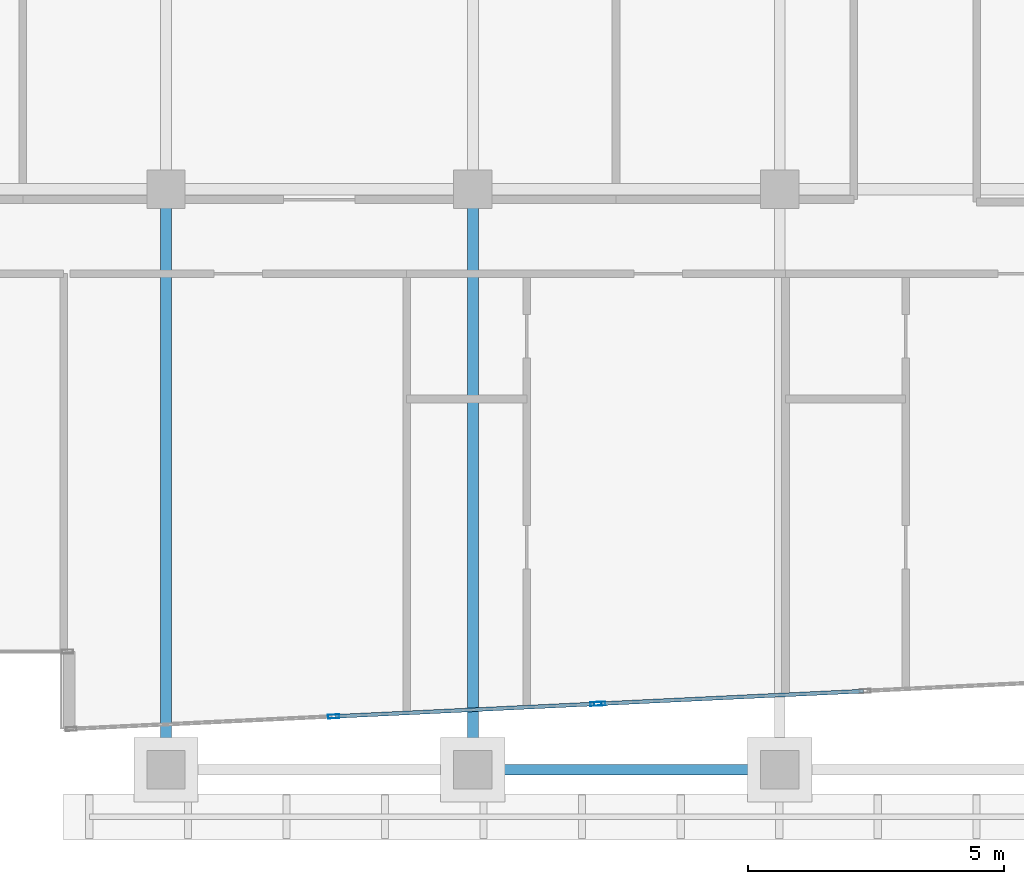
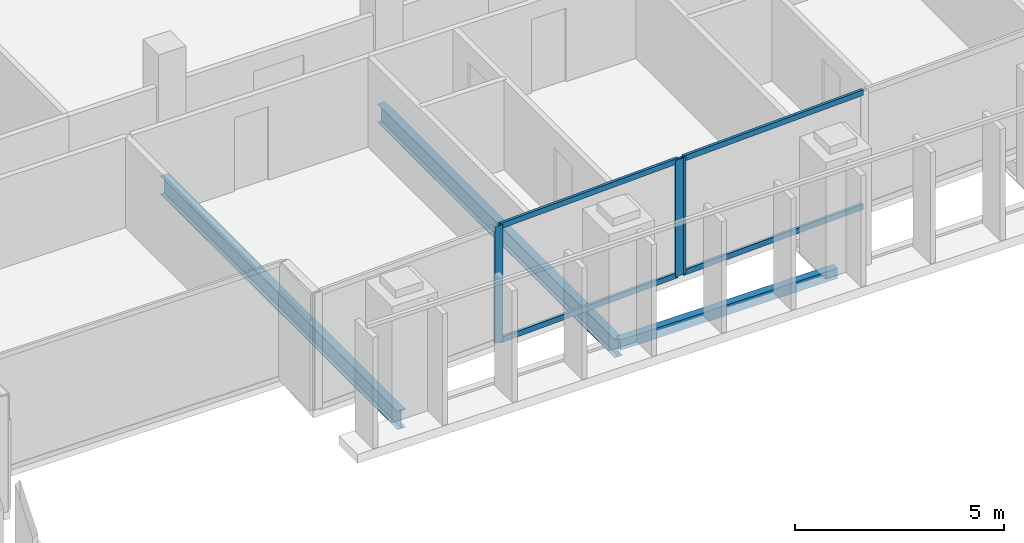
# One storey, part 6 of 32: 7 members, 3 beams, 2 elements without a shape of their own.
"""IFC4 building model written with IfcOpenShell, lengths in metres."""

from ifc_helpers import new_model, si_unit, direction, frame, origin, origin_2d, place, context, subcontext, project, spatial, hollow_rectangle, i_section, extrude, material, layer, layer_set, material_profile, profile_set, type_object, element, aggregate, save


model = new_model("IFC4")

# Units and contexts
model_context = context("Model", 3, precision=1e-05, world=origin(), true_north=direction((0.0, 1.0)))
body_context = subcontext(model_context, "Body", "Model", "MODEL_VIEW")
ifc_project = project(units=[si_unit("LENGTHUNIT", "METRE"), si_unit("AREAUNIT", "SQUARE_METRE"), si_unit("VOLUMEUNIT", "CUBIC_METRE"), si_unit("PLANEANGLEUNIT", "RADIAN"), si_unit("MASSUNIT", "GRAM", prefix="KILO")], contexts=[model_context])

# Site, building, storey
site_placement = place(None, origin())
site = spatial("IfcSite", under=ifc_project, at=site_placement, CompositionType="ELEMENT")
building_placement = place(site_placement, origin())
building = spatial("IfcBuilding", under=site, at=building_placement, Name="Tanjung Sevakor Pilgrim Tower", CompositionType="ELEMENT")
storey_placement = place(building_placement, frame((0.0, 0.0, 211.860107421875)))
storey = spatial("IfcBuildingStorey", under=building, at=storey_placement, Name="L59", CompositionType="ELEMENT", Elevation=211.860107421875)

# Beams
ifc_material_1 = material(Name="Steel S355J2", Category="steel")
ifc_material_profile_1 = material_profile(ifc_material_1, i_section(OverallWidth=0.2119140625, OverallDepth=0.54443359375, WebThickness=0.0126953125, FlangeThickness=0.021240234375, FilletRadius=0.0126953125, at=origin_2d()))
ifc_profile_set_1 = profile_set([ifc_material_profile_1], Name="Steel S355J2")
beam_type_1 = type_object("IfcBeamType", Name="BM-B-G5-UB_533x210x122", PredefinedType="BEAM", material=ifc_profile_set_1)
for number, where, z_axis, x_axis, name in (
    (1, (54.0, 13.25, -0.492431640625), (0.0, 1.0, 0.0), (-1.0, 0.0, 0.0), "L59 MAIN Girder 009"),
    (2, (60.0, 13.25, -0.492431640625), (0.0, 1.0, 0.0), (-1.0, 0.0, 0.0), "L59 MAIN Girder 012"),
):
    element("IfcBeam", number, at=place(storey_placement, frame(where, z_axis=z_axis, x_axis=x_axis)), inside=storey, type_object=beam_type_1, Name=name, PredefinedType="BEAM", context=body_context, shape_type="SweptSolid", body=[
        extrude(i_section(OverallWidth=0.2119140625, OverallDepth=0.54443359375, WebThickness=0.0126953125, FlangeThickness=0.021240234375, FilletRadius=0.0126953125, at=origin_2d()), origin(), (0.0, 0.0, 1.0), 11.35009765625),
    ])
ifc_material_2 = material(Name="Steel S355J2", Category="steel")
ifc_material_profile_2 = material_profile(ifc_material_2, hollow_rectangle(XDim=0.199951171875, YDim=0.300048828125, WallThickness=0.012451171875, at=origin_2d()))
ifc_profile_set_2 = profile_set([ifc_material_profile_2], Name="Steel S355J2")
beam_type_2 = type_object("IfcBeamType", Name="BM-B-SP3-RHS_300x200x12.5", PredefinedType="SPANDREL", material=ifc_profile_set_2)
beam_placement = place(storey_placement, frame((60.0, 13.25, -0.3701171875), z_axis=(1.0, 0.0, 0.0), x_axis=(0.0, 1.0, 0.0)))
element("IfcBeam", 3, at=beam_placement, inside=storey, type_object=beam_type_2, Name="L59 Spandrel MAIN S-07", PredefinedType="SPANDREL", context=body_context, shape_type="SweptSolid", body=[
    extrude(hollow_rectangle(XDim=0.199951171875, YDim=0.300048828125, WallThickness=0.012451171875, at=origin_2d()), origin(), (0.0, 0.0, 1.0), 6.0),
])

# Curtain wall, members
ifc_material_3 = material(Name="Aluminium 6063-T6 and Low-E Glass", Category="aluminium")
ifc_layer = layer(ifc_material_3, 0.199951171875)
ifc_layer_set = layer_set([ifc_layer], Name="CW-SYS-PRAY")
curtain_wall_type = type_object("IfcCurtainWallType", Name="CW-SYS-PRAY", PredefinedType="NOTDEFINED", material=ifc_layer_set)
curtain_wall_1_placement = place(storey_placement, origin())
curtain_wall_1 = element("IfcCurtainWall", 4, at=curtain_wall_1_placement, inside=storey, type_object=curtain_wall_type, Name="L59 Curtain Wall CW-PRY-L59-9", PredefinedType="NOTDEFINED")
ifc_material_4 = material(Name="Aluminium 6063-T6", Category="aluminium")
ifc_material_profile_3 = material_profile(ifc_material_4, hollow_rectangle(XDim=0.074951171875, YDim=0.219970703125, WallThickness=0.0048828125, at=origin_2d()))
ifc_profile_set_3 = profile_set([ifc_material_profile_3], Name="Aluminium 6063-T6")
member_type_1 = type_object("IfcMemberType", Name="TYPE-CWM-2", PredefinedType="MULLION", material=ifc_profile_set_3)
member_1_placement = place(storey_placement, frame((57.27734375, 14.292724609375, 0.0), z_axis=(0.0, 0.0, 1.0), x_axis=(-0.047793830125, 0.99885722193, 0.0)))
member_1 = element("IfcMember", 5, at=member_1_placement, type_object=member_type_1, Name="CW-PRY mullion 2", PredefinedType="MULLION", context=body_context, shape_type="SweptSolid", body=[
    extrude(hollow_rectangle(XDim=0.074951171875, YDim=0.219970703125, WallThickness=0.0048828125, at=origin_2d()), origin(), (0.0, 0.0, 1.0), 3.409912109375),
])
member_2_placement = place(storey_placement, frame((62.4072265625, 14.5380859375, 0.0), z_axis=(0.0, 0.0, 1.0), x_axis=(-0.047793830125, 0.99885722193, 0.0)))
member_2 = element("IfcMember", 6, at=member_2_placement, type_object=member_type_1, Name="CW-PRY mullion 3", PredefinedType="MULLION", context=body_context, shape_type="SweptSolid", body=[
    extrude(hollow_rectangle(XDim=0.074951171875, YDim=0.219970703125, WallThickness=0.0048828125, at=origin_2d()), origin(), (0.0, 0.0, 1.0), 3.409912109375),
])

# Curtain wall, member
curtain_wall_2_placement = place(storey_placement, origin())
curtain_wall_2 = element("IfcCurtainWall", 7, at=curtain_wall_2_placement, inside=storey, type_object=curtain_wall_type, Name="L59 Curtain Wall CW-PRY-L59-10", PredefinedType="NOTDEFINED")
member_3_placement = place(storey_placement, frame((62.482177734375, 14.541748046875, 0.0), z_axis=(0.0, 0.0, 1.0), x_axis=(-0.047787107337, 0.998857543583, 0.0)))
member_3 = element("IfcMember", 8, at=member_3_placement, type_object=member_type_1, Name="CW-PRY mullion 1", PredefinedType="MULLION", context=body_context, shape_type="SweptSolid", body=[
    extrude(hollow_rectangle(XDim=0.074951171875, YDim=0.219970703125, WallThickness=0.0048828125, at=origin_2d()), origin(), (0.0, 0.0, 1.0), 3.409912109375),
])

# Member
ifc_material_5 = material(Name="Aluminium 6063-T6", Category="aluminium")
ifc_material_profile_4 = material_profile(ifc_material_5, hollow_rectangle(XDim=0.074951171875, YDim=0.159912109375, WallThickness=0.00439453125, at=origin_2d()))
ifc_profile_set_4 = profile_set([ifc_material_profile_4], Name="Aluminium 6063-T6")
member_type_2 = type_object("IfcMemberType", Name="TYPE-CWT-2", PredefinedType="USERDEFINED", material=ifc_profile_set_4)
member_4_placement = place(storey_placement, frame((57.314697265625, 14.29443359375, 0.037353515625), z_axis=(0.998856649015, 0.047805802143, 0.0), x_axis=(-0.047805802143, 0.998856649015, 0.0)))
member_4 = element("IfcMember", 9, at=member_4_placement, type_object=member_type_2, Name="CW-PRY transom 2.1", ObjectType="TRANSOM", PredefinedType="USERDEFINED", context=body_context, shape_type="SweptSolid", body=[
    extrude(hollow_rectangle(XDim=0.074951171875, YDim=0.159912109375, WallThickness=0.00439453125, at=origin_2d()), origin(), (0.0, 0.0, 1.0), 5.06103515625),
])

member_5_placement = place(storey_placement, frame((57.314697265625, 14.29443359375, 3.372314453125), z_axis=(0.998856649015, 0.047805802143, 0.0), x_axis=(-0.047805802143, 0.998856649015, 0.0)))
member_5 = element("IfcMember", 10, at=member_5_placement, type_object=member_type_2, Name="CW-PRY transom 2.2", ObjectType="TRANSOM", PredefinedType="USERDEFINED", context=body_context, shape_type="SweptSolid", body=[
    extrude(hollow_rectangle(XDim=0.074951171875, YDim=0.159912109375, WallThickness=0.00439453125, at=origin_2d()), origin(), (0.0, 0.0, 1.0), 5.06103515625),
])

aggregate(curtain_wall_1, [member_1, member_2, member_4, member_5])

member_6_placement = place(storey_placement, frame((62.51953125, 14.54345703125, 0.037353515625), z_axis=(0.998858518395, 0.04776672722, 0.0), x_axis=(-0.04776672722, 0.998858518395, 0.0)))
member_6 = element("IfcMember", 11, at=member_6_placement, type_object=member_type_2, Name="CW-PRY transom 1.1", ObjectType="TRANSOM", PredefinedType="USERDEFINED", context=body_context, shape_type="SweptSolid", body=[
    extrude(hollow_rectangle(XDim=0.074951171875, YDim=0.159912109375, WallThickness=0.00439453125, at=origin_2d()), origin(), (0.0, 0.0, 1.0), 5.121337890625),
])

member_7_placement = place(storey_placement, frame((62.51953125, 14.54345703125, 3.372314453125), z_axis=(0.998858518395, 0.04776672722, 0.0), x_axis=(-0.04776672722, 0.998858518395, 0.0)))
member_7 = element("IfcMember", 12, at=member_7_placement, type_object=member_type_2, Name="CW-PRY transom 1.2", ObjectType="TRANSOM", PredefinedType="USERDEFINED", context=body_context, shape_type="SweptSolid", body=[
    extrude(hollow_rectangle(XDim=0.074951171875, YDim=0.159912109375, WallThickness=0.00439453125, at=origin_2d()), origin(), (0.0, 0.0, 1.0), 5.121337890625),
])

aggregate(curtain_wall_2, [member_3, member_6, member_7])

save(model, "model.ifc")
